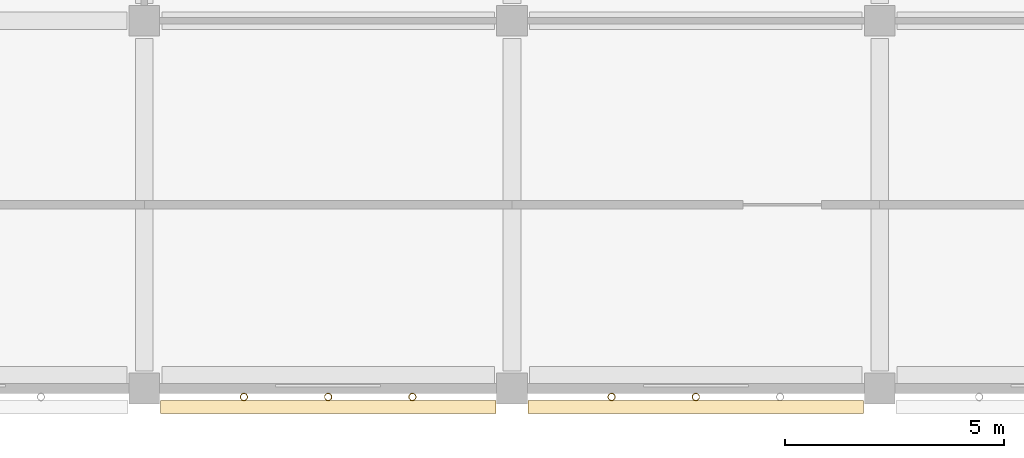
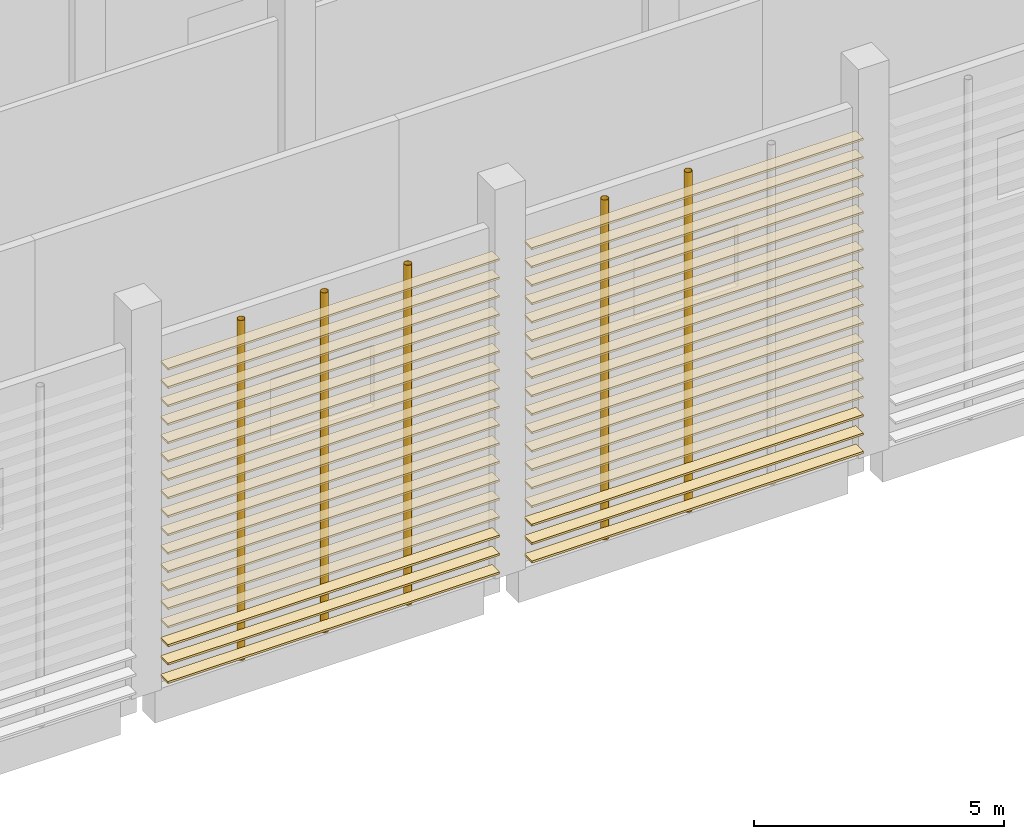
# One storey, part 73 of 114: 36 coverings, 5 shading devices.
"""IFC4 building model written with IfcOpenShell, lengths in metres."""

from ifc_helpers import new_model, si_unit, direction, frame, origin, origin_2d, place, context, subcontext, project, spatial, rectangle, hollow_circle, extrude, material, material_profile, profile_set, type_object, element, save


model = new_model("IFC4")

# Units and contexts
model_context = context("Model", 3, precision=1e-05, world=origin(), true_north=direction((0.0, 1.0)))
body_context = subcontext(model_context, "Body", "Model", "MODEL_VIEW")
ifc_project = project(units=[si_unit("LENGTHUNIT", "METRE"), si_unit("AREAUNIT", "SQUARE_METRE"), si_unit("VOLUMEUNIT", "CUBIC_METRE"), si_unit("PLANEANGLEUNIT", "RADIAN"), si_unit("MASSUNIT", "GRAM", prefix="KILO")], contexts=[model_context])

# Site, building, storey
site_placement = place(None, origin())
site = spatial("IfcSite", under=ifc_project, at=site_placement, CompositionType="ELEMENT")
building_placement = place(site_placement, origin())
building = spatial("IfcBuilding", under=site, at=building_placement, Name="Almond Square Museum", CompositionType="ELEMENT")
storey_placement = place(building_placement, frame((0.0, 0.0, 10.5)))
storey = spatial("IfcBuildingStorey", under=building, at=storey_placement, Name="L02", CompositionType="ELEMENT", Elevation=10.5)

# Shading devices
ifc_material_1 = material(Name="Structural steel S355", Category="steel")
ifc_material_profile_1 = material_profile(ifc_material_1, hollow_circle(Radius=0.084228515625, WallThickness=0.008056640625, at=origin_2d()))
ifc_profile_set_1 = profile_set([ifc_material_profile_1], Name="Structural steel S355")
shading_device_type = type_object("IfcShadingDeviceType", Name="Louvre post CHS 168.3 x 8", PredefinedType="USERDEFINED", material=ifc_profile_set_1)
for number, where, z_axis, x_axis, name in (
    (1, (25.074951171875, -0.194091796875, 0.0), (0.0, 0.0, 1.0), (1.0, 0.0, 0.0), "Louvre screen post"),
    (2, (27.0, -0.194091796875, 0.0), (0.0, 0.0, 1.0), (1.0, 0.0, 0.0), "Louvre screen post"),
    (3, (28.925048828125, -0.194091796875, 0.0), (0.0, 0.0, 1.0), (1.0, 0.0, 0.0), "Louvre screen post"),
    (4, (33.47509765625, -0.194091796875, 0.0), (0.0, 0.0, 1.0), (1.0, 0.0, 0.0), "Louvre screen post"),
    (5, (35.39990234375, -0.194091796875, 0.0), (0.0, 0.0, 1.0), (1.0, 0.0, 0.0), "Louvre screen post"),
):
    element("IfcShadingDevice", number, at=place(storey_placement, frame(where, z_axis=z_axis, x_axis=x_axis)), inside=storey, type_object=shading_device_type, Name=name, ObjectType="POST", PredefinedType="USERDEFINED", context=body_context, shape_type="SweptSolid", body=[
        extrude(hollow_circle(Radius=0.084228515625, WallThickness=0.008056640625, at=origin_2d()), origin(), (0.0, 0.0, 1.0), 8.300048828125),
    ])

# Coverings
ifc_material_2 = material(Name="Cedar timber louvre board", Category="wood")
ifc_material_profile_2 = material_profile(ifc_material_2, rectangle(XDim=0.300048828125, YDim=0.050048828125, at=origin_2d()))
ifc_profile_set_2 = profile_set([ifc_material_profile_2], Name="Cedar timber louvre board")
covering_type = type_object("IfcCoveringType", Name="Louvre screen board 300 x 50", PredefinedType="CLADDING", material=ifc_profile_set_2)
for number, where, z_axis, x_axis, name in (
    (6, (23.169921875, -0.42431640625, 0.300048828125), (1.0, 0.0, 0.0), (0.0, 1.0, 0.0), "Louvre screen board"),
    (7, (23.169921875, -0.42431640625, 0.75), (1.0, 0.0, 0.0), (0.0, 1.0, 0.0), "Louvre screen board"),
    (8, (23.169921875, -0.42431640625, 1.199951171875), (1.0, 0.0, 0.0), (0.0, 1.0, 0.0), "Louvre screen board"),
    (9, (23.169921875, -0.42431640625, 1.64990234375), (1.0, 0.0, 0.0), (0.0, 1.0, 0.0), "Louvre screen board"),
    (10, (23.169921875, -0.42431640625, 2.10009765625), (1.0, 0.0, 0.0), (0.0, 1.0, 0.0), "Louvre screen board"),
    (11, (23.169921875, -0.42431640625, 2.550048828125), (1.0, 0.0, 0.0), (0.0, 1.0, 0.0), "Louvre screen board"),
    (12, (23.169921875, -0.42431640625, 3.0), (1.0, 0.0, 0.0), (0.0, 1.0, 0.0), "Louvre screen board"),
    (13, (23.169921875, -0.42431640625, 3.449951171875), (1.0, 0.0, 0.0), (0.0, 1.0, 0.0), "Louvre screen board"),
    (14, (23.169921875, -0.42431640625, 3.89990234375), (1.0, 0.0, 0.0), (0.0, 1.0, 0.0), "Louvre screen board"),
    (15, (23.169921875, -0.42431640625, 4.35009765625), (1.0, 0.0, 0.0), (0.0, 1.0, 0.0), "Louvre screen board"),
    (16, (23.169921875, -0.42431640625, 4.800048828125), (1.0, 0.0, 0.0), (0.0, 1.0, 0.0), "Louvre screen board"),
    (17, (23.169921875, -0.42431640625, 5.25), (1.0, 0.0, 0.0), (0.0, 1.0, 0.0), "Louvre screen board"),
    (18, (23.169921875, -0.42431640625, 5.699951171875), (1.0, 0.0, 0.0), (0.0, 1.0, 0.0), "Louvre screen board"),
    (19, (23.169921875, -0.42431640625, 6.14990234375), (1.0, 0.0, 0.0), (0.0, 1.0, 0.0), "Louvre screen board"),
    (20, (23.169921875, -0.42431640625, 6.60009765625), (1.0, 0.0, 0.0), (0.0, 1.0, 0.0), "Louvre screen board"),
    (21, (23.169921875, -0.42431640625, 7.050048828125), (1.0, 0.0, 0.0), (0.0, 1.0, 0.0), "Louvre screen board"),
    (22, (23.169921875, -0.42431640625, 7.5), (1.0, 0.0, 0.0), (0.0, 1.0, 0.0), "Louvre screen board"),
    (23, (23.169921875, -0.42431640625, 7.949951171875), (1.0, 0.0, 0.0), (0.0, 1.0, 0.0), "Louvre screen board"),
):
    element("IfcCovering", number, at=place(storey_placement, frame(where, z_axis=z_axis, x_axis=x_axis)), inside=storey, type_object=covering_type, Name=name, PredefinedType="CLADDING", context=body_context, shape_type="SweptSolid", body=[
        extrude(rectangle(XDim=0.300048828125, YDim=0.050048828125, at=origin_2d()), origin(), (0.0, 0.0, 1.0), 7.66015625),
    ])
for number, where, z_axis, x_axis, name in (
    (24, (31.570068359375, -0.42431640625, 0.300048828125), (1.0, 0.0, 0.0), (0.0, 1.0, 0.0), "Louvre screen board"),
    (25, (31.570068359375, -0.42431640625, 0.75), (1.0, 0.0, 0.0), (0.0, 1.0, 0.0), "Louvre screen board"),
    (26, (31.570068359375, -0.42431640625, 1.199951171875), (1.0, 0.0, 0.0), (0.0, 1.0, 0.0), "Louvre screen board"),
    (27, (31.570068359375, -0.42431640625, 1.64990234375), (1.0, 0.0, 0.0), (0.0, 1.0, 0.0), "Louvre screen board"),
    (28, (31.570068359375, -0.42431640625, 2.10009765625), (1.0, 0.0, 0.0), (0.0, 1.0, 0.0), "Louvre screen board"),
    (29, (31.570068359375, -0.42431640625, 2.550048828125), (1.0, 0.0, 0.0), (0.0, 1.0, 0.0), "Louvre screen board"),
    (30, (31.570068359375, -0.42431640625, 3.0), (1.0, 0.0, 0.0), (0.0, 1.0, 0.0), "Louvre screen board"),
    (31, (31.570068359375, -0.42431640625, 3.449951171875), (1.0, 0.0, 0.0), (0.0, 1.0, 0.0), "Louvre screen board"),
    (32, (31.570068359375, -0.42431640625, 3.89990234375), (1.0, 0.0, 0.0), (0.0, 1.0, 0.0), "Louvre screen board"),
    (33, (31.570068359375, -0.42431640625, 4.35009765625), (1.0, 0.0, 0.0), (0.0, 1.0, 0.0), "Louvre screen board"),
    (34, (31.570068359375, -0.42431640625, 4.800048828125), (1.0, 0.0, 0.0), (0.0, 1.0, 0.0), "Louvre screen board"),
    (35, (31.570068359375, -0.42431640625, 5.25), (1.0, 0.0, 0.0), (0.0, 1.0, 0.0), "Louvre screen board"),
    (36, (31.570068359375, -0.42431640625, 5.699951171875), (1.0, 0.0, 0.0), (0.0, 1.0, 0.0), "Louvre screen board"),
    (37, (31.570068359375, -0.42431640625, 6.14990234375), (1.0, 0.0, 0.0), (0.0, 1.0, 0.0), "Louvre screen board"),
    (38, (31.570068359375, -0.42431640625, 6.60009765625), (1.0, 0.0, 0.0), (0.0, 1.0, 0.0), "Louvre screen board"),
    (39, (31.570068359375, -0.42431640625, 7.050048828125), (1.0, 0.0, 0.0), (0.0, 1.0, 0.0), "Louvre screen board"),
    (40, (31.570068359375, -0.42431640625, 7.5), (1.0, 0.0, 0.0), (0.0, 1.0, 0.0), "Louvre screen board"),
    (41, (31.570068359375, -0.42431640625, 7.949951171875), (1.0, 0.0, 0.0), (0.0, 1.0, 0.0), "Louvre screen board"),
):
    element("IfcCovering", number, at=place(storey_placement, frame(where, z_axis=z_axis, x_axis=x_axis)), inside=storey, type_object=covering_type, Name=name, PredefinedType="CLADDING", context=body_context, shape_type="SweptSolid", body=[
        extrude(rectangle(XDim=0.300048828125, YDim=0.050048828125, at=origin_2d()), origin(), (0.0, 0.0, 1.0), 7.659912109375),
    ])

save(model, "model.ifc")
